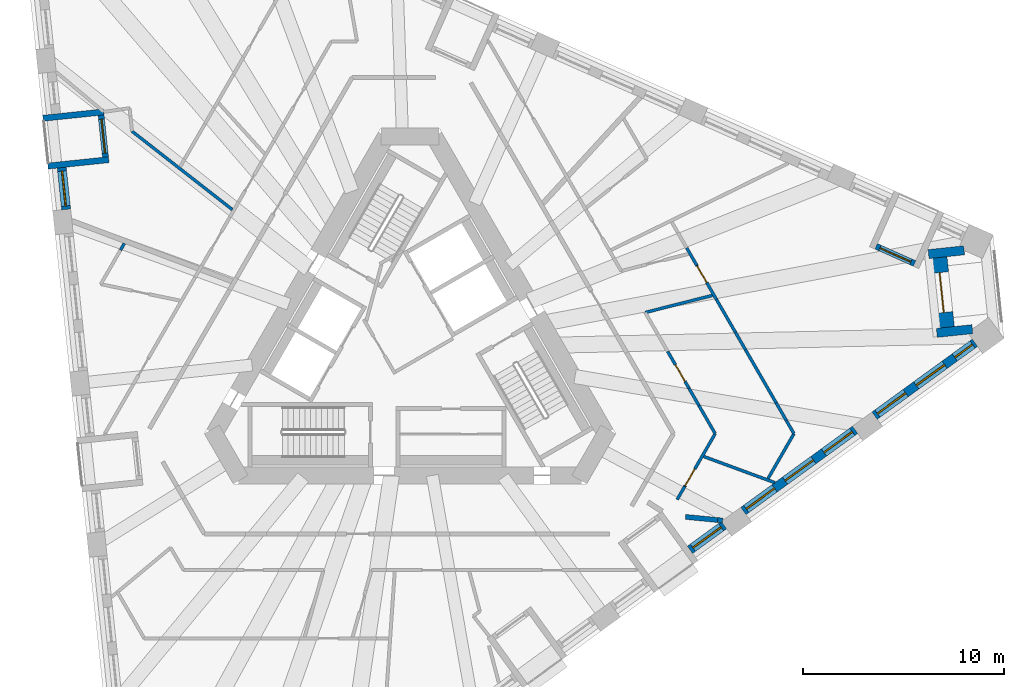
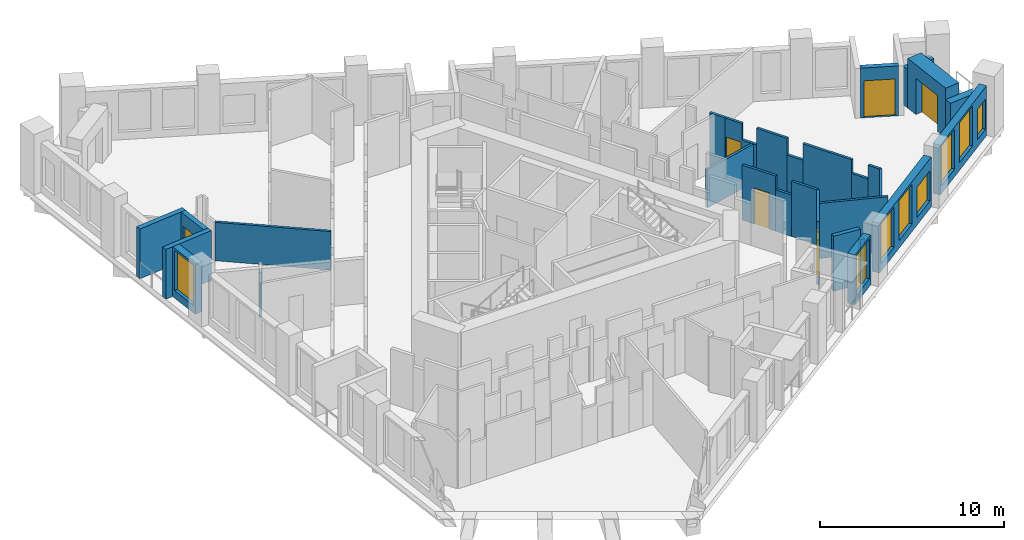
# One storey, part 6 of 14: 30 walls, 8 windows, 6 doors, 14 openings.
"""IFC4 building model written with IfcOpenShell, lengths in metres."""

from ifc_helpers import new_model, si_unit, direction, frame, frame_2d, origin, place, context, subcontext, project, spatial, polyline, rectangle, outline, extrude, material, layer, layer_set, type_object, element, fill, save


model = new_model("IFC4")

# Units and contexts
model_context = context("Model", 3, precision=1e-05, world=origin(), true_north=direction((0.0, 1.0)))
body_context = subcontext(model_context, "Body", "Model", "MODEL_VIEW")
ifc_project = project(units=[si_unit("LENGTHUNIT", "METRE"), si_unit("AREAUNIT", "SQUARE_METRE"), si_unit("VOLUMEUNIT", "CUBIC_METRE"), si_unit("PLANEANGLEUNIT", "RADIAN"), si_unit("MASSUNIT", "GRAM", prefix="KILO")], contexts=[model_context])

# Site, building, storey
site_placement = place(None, origin())
site = spatial("IfcSite", under=ifc_project, at=site_placement, CompositionType="ELEMENT")
building_placement = place(site_placement, origin())
building = spatial("IfcBuilding", under=site, at=building_placement, Name="Tramontana Tower", CompositionType="ELEMENT")
storey_placement = place(building_placement, frame((0.0, 0.0, 190.800048828125)))
storey = spatial("IfcBuildingStorey", under=building, at=storey_placement, Name="L44", CompositionType="ELEMENT", Elevation=190.800048828125)

# Wall, opening, window
ifc_material_1 = material(Name="Precast concrete 60 MPa", Category="concrete")
ifc_layer_1 = layer(ifc_material_1, 0.449951171875)
ifc_layer_set_1 = layer_set([ifc_layer_1], Name="Precast concrete 60 MPa, 450 mm")
wall_type_1 = type_object("IfcWallType", Name="EW1 Stone-faced precast wall 450", PredefinedType="SOLIDWALL", material=ifc_layer_set_1)
wall_1_placement = place(storey_placement, frame((-17.362060546875, 9.01171875, 0.0), z_axis=(0.0, 0.0, 1.0), x_axis=(0.104569484464, -0.994517583011, 0.0)))
wall_1 = element("IfcWall", 1, at=wall_1_placement, inside=storey, type_object=wall_type_1, Name="External wall L44 face 0 bay 2", PredefinedType="SOLIDWALL", context=body_context, shape_type="SweptSolid", body=[
    extrude(rectangle(XDim=2.09423828125, YDim=0.449951171875, at=frame_2d((1.047119140625, 0.0))), origin(), (0.0, 0.0, 1.0), 3.300048828125),
])
opening_1_placement = place(wall_1_placement, frame((0.172119140625, 0.0, 0.5)))
opening_1 = element("IfcOpeningElement", 2, at=opening_1_placement, cuts=wall_1, Name="Opening M2", PredefinedType="OPENING", context=body_context, shape_type="SweptSolid", body=[
    extrude(rectangle(XDim=1.75, YDim=2.64990234375, at=frame_2d((0.875, 1.324951171875))), frame((0.0, 0.23486328125, 0.0), z_axis=(0.0, -1.0, 0.0), x_axis=(1.0, 0.0, 0.0)), (0.0, 0.0, 1.0), 0.469970703125),
])
ifc_material_2 = material(Name="Aluminum frame, double glazing unit", Category="aluminium")
window_type_1 = type_object("IfcWindowType", Name="M2 Window 1.75 x 2.65", PartitioningType="SINGLE_PANEL", PredefinedType="WINDOW", material=ifc_material_2)
window_1_placement = place(opening_1_placement, origin())
window_1 = element("IfcWindow", 3, at=window_1_placement, inside=storey, type_object=window_type_1, Name="Window M2 L44 face 0 module 6", OverallHeight=2.64990234375, OverallWidth=1.75, PartitioningType="SINGLE_PANEL", PredefinedType="WINDOW", context=body_context, shape_type="SweptSolid", body=[
    extrude(rectangle(XDim=1.75, YDim=2.64990234375, at=frame_2d((0.875, 1.324951171875))), frame((0.0, 0.030029296875, 0.0), z_axis=(0.0, -1.0, 0.0), x_axis=(1.0, 0.0, 0.0)), (0.0, 0.0, 1.0), 0.06005859375),
])
fill(opening_1, window_1)

wall_2_placement = place(storey_placement, frame((13.955078125, -10.039794921875, 0.0), z_axis=(0.0, 0.0, 1.0), x_axis=(0.809028366311, 0.587769599847, 0.0)))
wall_2 = element("IfcWall", 4, at=wall_2_placement, inside=storey, type_object=wall_type_1, Name="External wall L44 face 1 bay 4", PredefinedType="SOLIDWALL", context=body_context, shape_type="SweptSolid", body=[
    extrude(rectangle(XDim=2.09423828125, YDim=0.449951171875, at=frame_2d((1.047119140625, 0.0))), origin(), (0.0, 0.0, 1.0), 3.300048828125),
])
opening_2_placement = place(wall_2_placement, frame((0.172119140625, 0.0, 0.5)))
opening_2 = element("IfcOpeningElement", 5, at=opening_2_placement, cuts=wall_2, Name="Opening M2", PredefinedType="OPENING", context=body_context, shape_type="SweptSolid", body=[
    extrude(rectangle(XDim=1.75, YDim=2.64990234375, at=frame_2d((0.875, 1.324951171875))), frame((0.0, 0.23486328125, 0.0), z_axis=(0.0, -1.0, 0.0), x_axis=(1.0, 0.0, 0.0)), (0.0, 0.0, 1.0), 0.469970703125),
])
window_2_placement = place(opening_2_placement, origin())
window_2 = element("IfcWindow", 6, at=window_2_placement, inside=storey, type_object=window_type_1, Name="Window M2 L44 face 1 module 12", OverallHeight=2.64990234375, OverallWidth=1.75, PartitioningType="SINGLE_PANEL", PredefinedType="WINDOW", context=body_context, shape_type="SweptSolid", body=[
    extrude(rectangle(XDim=1.75, YDim=2.64990234375, at=frame_2d((0.875, 1.324951171875))), frame((0.0, 0.030029296875, 0.0), z_axis=(0.0, -1.0, 0.0), x_axis=(1.0, 0.0, 0.0)), (0.0, 0.0, 1.0), 0.06005859375),
])
fill(opening_2, window_2)

# Wall, openings, windows
wall_3_placement = place(storey_placement, frame((16.6201171875, -8.103515625, 0.0), z_axis=(0.0, 0.0, 1.0), x_axis=(0.809016690404, 0.587785670672, 0.0)))
wall_3 = element("IfcWall", 7, at=wall_3_placement, inside=storey, type_object=wall_type_1, Name="External wall L44 face 1 bay 5", PredefinedType="SOLIDWALL", context=body_context, shape_type="SweptSolid", body=[
    extrude(rectangle(XDim=6.8828125, YDim=0.449951171875, at=frame_2d((3.44140625, 0.0))), origin(), (0.0, 0.0, 1.0), 3.300048828125),
])
opening_3_placement = place(wall_3_placement, frame((0.172119140625, 0.0, 0.5)))
opening_3 = element("IfcOpeningElement", 8, at=opening_3_placement, cuts=wall_3, Name="Opening M2", PredefinedType="OPENING", context=body_context, shape_type="SweptSolid", body=[
    extrude(rectangle(XDim=1.75, YDim=2.64990234375, at=frame_2d((0.875, 1.324951171875))), frame((0.0, 0.23486328125, 0.0), z_axis=(0.0, -1.0, 0.0), x_axis=(1.0, 0.0, 0.0)), (0.0, 0.0, 1.0), 0.469970703125),
])
opening_4_placement = place(wall_3_placement, frame((2.56640625, 0.0, 0.5)))
opening_4 = element("IfcOpeningElement", 9, at=opening_4_placement, cuts=wall_3, Name="Opening M2", PredefinedType="OPENING", context=body_context, shape_type="SweptSolid", body=[
    extrude(rectangle(XDim=1.75, YDim=2.64990234375, at=frame_2d((0.875, 1.324951171875))), frame((0.0, 0.23486328125, 0.0), z_axis=(0.0, -1.0, 0.0), x_axis=(1.0, 0.0, 0.0)), (0.0, 0.0, 1.0), 0.469970703125),
])
opening_5_placement = place(wall_3_placement, frame((4.960693359375, 0.0, 0.5)))
opening_5 = element("IfcOpeningElement", 10, at=opening_5_placement, cuts=wall_3, Name="Opening M2L", PredefinedType="OPENING", context=body_context, shape_type="SweptSolid", body=[
    extrude(rectangle(XDim=1.75, YDim=2.0, at=frame_2d((0.875, 1.0))), frame((0.0, 0.23486328125, 0.0), z_axis=(0.0, -1.0, 0.0), x_axis=(1.0, 0.0, 0.0)), (0.0, 0.0, 1.0), 0.469970703125),
])
window_3_placement = place(opening_3_placement, origin())
window_3 = element("IfcWindow", 11, at=window_3_placement, inside=storey, type_object=window_type_1, Name="Window M2 L44 face 1 module 13", OverallHeight=2.64990234375, OverallWidth=1.75, PartitioningType="SINGLE_PANEL", PredefinedType="WINDOW", context=body_context, shape_type="SweptSolid", body=[
    extrude(rectangle(XDim=1.75, YDim=2.64990234375, at=frame_2d((0.875, 1.324951171875))), frame((0.0, 0.030029296875, 0.0), z_axis=(0.0, -1.0, 0.0), x_axis=(1.0, 0.0, 0.0)), (0.0, 0.0, 1.0), 0.06005859375),
])
fill(opening_3, window_3)
window_4_placement = place(opening_4_placement, origin())
window_4 = element("IfcWindow", 12, at=window_4_placement, inside=storey, type_object=window_type_1, Name="Window M2 L44 face 1 module 14", OverallHeight=2.64990234375, OverallWidth=1.75, PartitioningType="SINGLE_PANEL", PredefinedType="WINDOW", context=body_context, shape_type="SweptSolid", body=[
    extrude(rectangle(XDim=1.75, YDim=2.64990234375, at=frame_2d((0.875, 1.324951171875))), frame((0.0, 0.030029296875, 0.0), z_axis=(0.0, -1.0, 0.0), x_axis=(1.0, 0.0, 0.0)), (0.0, 0.0, 1.0), 0.06005859375),
])
fill(opening_4, window_4)
ifc_material_3 = material(Name="Aluminum frame, double glazing unit", Category="aluminium")
window_type_2 = type_object("IfcWindowType", Name="M2L Window 1.75 x 2", PartitioningType="SINGLE_PANEL", PredefinedType="WINDOW", material=ifc_material_3)
window_5_placement = place(opening_5_placement, origin())
window_5 = element("IfcWindow", 13, at=window_5_placement, inside=storey, type_object=window_type_2, Name="Window M2L L44 face 1 module 15", OverallHeight=2.0, OverallWidth=1.75, PartitioningType="SINGLE_PANEL", PredefinedType="WINDOW", context=body_context, shape_type="SweptSolid", body=[
    extrude(rectangle(XDim=1.75, YDim=2.0, at=frame_2d((0.875, 1.0))), frame((0.0, 0.030029296875, 0.0), z_axis=(0.0, -1.0, 0.0), x_axis=(1.0, 0.0, 0.0)), (0.0, 0.0, 1.0), 0.06005859375),
])
fill(opening_5, window_5)

wall_4_placement = place(storey_placement, frame((23.159423828125, -3.3525390625, 0.0), z_axis=(0.0, 0.0, 1.0), x_axis=(0.809005790194, 0.587800673215, 0.0)))
wall_4 = element("IfcWall", 14, at=wall_4_placement, inside=storey, type_object=wall_type_1, Name="External wall L44 face 1 bay 6", PredefinedType="SOLIDWALL", context=body_context, shape_type="SweptSolid", body=[
    extrude(rectangle(XDim=6.182861328125, YDim=0.449951171875, at=frame_2d((3.09130859375, 0.0))), origin(), (0.0, 0.0, 1.0), 3.300048828125),
])
opening_6_placement = place(wall_4_placement, frame((0.172119140625, 0.0, 0.5)))
opening_6 = element("IfcOpeningElement", 15, at=opening_6_placement, cuts=wall_4, Name="Opening M2", PredefinedType="OPENING", context=body_context, shape_type="SweptSolid", body=[
    extrude(rectangle(XDim=1.75, YDim=2.64990234375, at=frame_2d((0.875, 1.324951171875))), frame((0.0, 0.23486328125, 0.0), z_axis=(0.0, -1.0, 0.0), x_axis=(1.0, 0.0, 0.0)), (0.0, 0.0, 1.0), 0.469970703125),
])
opening_7_placement = place(wall_4_placement, frame((2.56640625, 0.0, 0.5)))
opening_7 = element("IfcOpeningElement", 16, at=opening_7_placement, cuts=wall_4, Name="Opening M2", PredefinedType="OPENING", context=body_context, shape_type="SweptSolid", body=[
    extrude(rectangle(XDim=1.75, YDim=2.64990234375, at=frame_2d((0.875, 1.324951171875))), frame((0.0, 0.23486328125, 0.0), z_axis=(0.0, -1.0, 0.0), x_axis=(1.0, 0.0, 0.0)), (0.0, 0.0, 1.0), 0.469970703125),
])
opening_8_placement = place(wall_4_placement, frame((4.935791015625, 0.0, 0.5)))
opening_8 = element("IfcOpeningElement", 17, at=opening_8_placement, cuts=wall_4, Name="Opening N2L", PredefinedType="OPENING", context=body_context, shape_type="SweptSolid", body=[
    extrude(rectangle(XDim=1.10009765625, YDim=2.0, at=frame_2d((0.550048828125, 1.0))), frame((0.0, 0.23486328125, 0.0), z_axis=(0.0, -1.0, 0.0), x_axis=(1.0, 0.0, 0.0)), (0.0, 0.0, 1.0), 0.469970703125),
])
window_6_placement = place(opening_6_placement, origin())
window_6 = element("IfcWindow", 18, at=window_6_placement, inside=storey, type_object=window_type_1, Name="Window M2 L44 face 1 module 16", OverallHeight=2.64990234375, OverallWidth=1.75, PartitioningType="SINGLE_PANEL", PredefinedType="WINDOW", context=body_context, shape_type="SweptSolid", body=[
    extrude(rectangle(XDim=1.75, YDim=2.64990234375, at=frame_2d((0.875, 1.324951171875))), frame((0.0, 0.030029296875, 0.0), z_axis=(0.0, -1.0, 0.0), x_axis=(1.0, 0.0, 0.0)), (0.0, 0.0, 1.0), 0.06005859375),
])
fill(opening_6, window_6)
window_7_placement = place(opening_7_placement, origin())
window_7 = element("IfcWindow", 19, at=window_7_placement, inside=storey, type_object=window_type_1, Name="Window M2 L44 face 1 module 17", OverallHeight=2.64990234375, OverallWidth=1.75, PartitioningType="SINGLE_PANEL", PredefinedType="WINDOW", context=body_context, shape_type="SweptSolid", body=[
    extrude(rectangle(XDim=1.75, YDim=2.64990234375, at=frame_2d((0.875, 1.324951171875))), frame((0.0, 0.030029296875, 0.0), z_axis=(0.0, -1.0, 0.0), x_axis=(1.0, 0.0, 0.0)), (0.0, 0.0, 1.0), 0.06005859375),
])
fill(opening_7, window_7)
ifc_material_4 = material(Name="Aluminum frame, double glazing unit", Category="aluminium")
window_type_3 = type_object("IfcWindowType", Name="N2L Window 1.1 x 2", PartitioningType="SINGLE_PANEL", PredefinedType="WINDOW", material=ifc_material_4)
window_8_placement = place(opening_8_placement, origin())
window_8 = element("IfcWindow", 20, at=window_8_placement, inside=storey, type_object=window_type_3, Name="Window N2L L44 face 1 module 18", OverallHeight=2.0, OverallWidth=1.10009765625, PartitioningType="SINGLE_PANEL", PredefinedType="WINDOW", context=body_context, shape_type="SweptSolid", body=[
    extrude(rectangle(XDim=1.10009765625, YDim=2.0, at=frame_2d((0.550048828125, 1.0))), frame((0.0, 0.030029296875, 0.0), z_axis=(0.0, -1.0, 0.0), x_axis=(1.0, 0.0, 0.0)), (0.0, 0.0, 1.0), 0.06005859375),
])
fill(opening_8, window_8)

# Walls
wall_5_placement = place(storey_placement, frame((27.619384765625, 4.888916015625, 0.0), z_axis=(0.0, 0.0, 1.0), x_axis=(-0.994517477618, -0.104570486815, 0.0)))
element("IfcWall", 21, at=wall_5_placement, inside=storey, type_object=wall_type_1, Name="Corner loggia side wall L44 K42l", PredefinedType="SOLIDWALL", context=body_context, shape_type="SweptSolid", body=[
    extrude(rectangle(XDim=1.779052734375, YDim=0.449951171875, at=frame_2d((0.8896484375, 0.0))), origin(), (0.0, 0.0, 1.0), 2.550048828125),
])
wall_6_placement = place(storey_placement, frame((28.032470703125, 0.96044921875, 0.0), z_axis=(0.0, 0.0, 1.0), x_axis=(-0.994518977937, -0.104556217051, 0.0)))
element("IfcWall", 22, at=wall_6_placement, inside=storey, type_object=wall_type_1, Name="Corner loggia side wall L44 K42r", PredefinedType="SOLIDWALL", context=body_context, shape_type="SweptSolid", body=[
    extrude(rectangle(XDim=1.779296875, YDim=0.449951171875, at=frame_2d((0.8896484375, 0.0))), origin(), (0.0, 0.0, 1.0), 2.550048828125),
])

# Wall, opening, door
ifc_material_5 = material(Name="Precast concrete 60 MPa", Category="concrete")
ifc_layer_2 = layer(ifc_material_5, 0.89990234375)
ifc_layer_set_2 = layer_set([ifc_layer_2], Name="EW2 Stone-faced corner loggia wall 900")
wall_type_2 = type_object("IfcWallType", Name="EW2 Stone-faced corner loggia wall 900", PredefinedType="SOLIDWALL", material=ifc_layer_set_2)
wall_7_placement = place(storey_placement, frame((26.321044921875, 4.526123046875, 0.0), z_axis=(0.0, 0.0, 1.0), x_axis=(0.104557701916, -0.994518821828, 0.0)))
wall_7 = element("IfcWall", 23, at=wall_7_placement, inside=storey, type_object=wall_type_2, Name="Corner loggia wall L44 K42", PredefinedType="SOLIDWALL", context=body_context, shape_type="SweptSolid", body=[
    extrude(rectangle(XDim=3.500244140625, YDim=0.89990234375, at=frame_2d((1.75, 0.0))), origin(), (0.0, 0.0, 1.0), 3.300048828125),
])
opening_9_placement = place(wall_7_placement, frame((0.75, 0.0, 0.0)))
opening_9 = element("IfcOpeningElement", 24, at=opening_9_placement, cuts=wall_7, Name="Opening BD-42C", PredefinedType="OPENING", context=body_context, shape_type="SweptSolid", body=[
    extrude(rectangle(XDim=2.0, YDim=2.39990234375, at=frame_2d((1.0, 1.199951171875))), frame((0.0, 0.4599609375, 0.0), z_axis=(0.0, -1.0, 0.0), x_axis=(1.0, 0.0, 0.0)), (0.0, 0.0, 1.0), 0.919921875),
])
ifc_material_6 = material(Name="Aluminum frame, double glazing unit", Category="aluminium")
door_type_1 = type_object("IfcDoorType", Name="BC1 Sliding door 2 x 2.4", OperationType="SLIDING_TO_LEFT", PredefinedType="DOOR", material=ifc_material_6)
door_1_placement = place(opening_9_placement, origin())
door_1 = element("IfcDoor", 25, at=door_1_placement, inside=storey, type_object=door_type_1, Name="Corner loggia door L44 K42", OperationType="SLIDING_TO_LEFT", OverallHeight=2.39990234375, OverallWidth=2.0, PredefinedType="DOOR", context=body_context, shape_type="SweptSolid", body=[
    extrude(rectangle(XDim=2.0, YDim=2.39990234375, at=frame_2d((1.0, 1.199951171875))), frame((0.0, 0.02490234375, 0.0), z_axis=(0.0, -1.0, 0.0), x_axis=(1.0, 0.0, 0.0)), (0.0, 0.0, 1.0), 0.050048828125),
])
fill(opening_9, door_1)

ifc_material_7 = material(Name="Precast concrete 60 MPa", Category="concrete")
ifc_layer_3 = layer(ifc_material_7, 0.300048828125)
ifc_layer_set_3 = layer_set([ifc_layer_3], Name="LW1 Stone-faced loggia wall 300")
wall_type_3 = type_object("IfcWallType", Name="LW1 Stone-faced loggia wall 300", PredefinedType="SOLIDWALL", material=ifc_layer_set_3)
wall_8_placement = place(storey_placement, frame((-15.399658203125, 11.62548828125, 0.0), z_axis=(0.0, 0.0, 1.0), x_axis=(0.104569484464, -0.994517583011, 0.0)))
wall_8 = element("IfcWall", 26, at=wall_8_placement, inside=storey, type_object=wall_type_3, Name="Loggia wall L44 G4S0.4", PredefinedType="SOLIDWALL", context=body_context, shape_type="SweptSolid", body=[
    extrude(rectangle(XDim=2.09423828125, YDim=0.300048828125, at=frame_2d((1.047119140625, 0.0))), origin(), (0.0, 0.0, 1.0), 3.300048828125),
])
opening_10_placement = place(wall_8_placement, frame((0.197265625, 0.0, 0.0)))
opening_10 = element("IfcOpeningElement", 27, at=opening_10_placement, cuts=wall_8, Name="Opening BD-4S0-04", PredefinedType="OPENING", context=body_context, shape_type="SweptSolid", body=[
    extrude(rectangle(XDim=1.699951171875, YDim=2.449951171875, at=frame_2d((0.85009765625, 1.22509765625))), frame((0.0, 0.159912109375, 0.0), z_axis=(0.0, -1.0, 0.0), x_axis=(1.0, 0.0, 0.0)), (0.0, 0.0, 1.0), 0.320068359375),
])
ifc_material_8 = material(Name="Aluminum frame, double glazing unit", Category="aluminium")
door_type_2 = type_object("IfcDoorType", Name="BD2 Sliding door 1.7 x 2.45", OperationType="SLIDING_TO_LEFT", PredefinedType="DOOR", material=ifc_material_8)
door_2_placement = place(opening_10_placement, origin())
door_2 = element("IfcDoor", 28, at=door_2_placement, inside=storey, type_object=door_type_2, Name="Loggia door L44 G4S0.4", OperationType="SLIDING_TO_LEFT", OverallHeight=2.449951171875, OverallWidth=1.699951171875, PredefinedType="DOOR", context=body_context, shape_type="SweptSolid", body=[
    extrude(rectangle(XDim=1.699951171875, YDim=2.449951171875, at=frame_2d((0.85009765625, 1.22509765625))), frame((0.0, 0.02490234375, 0.0), z_axis=(0.0, -1.0, 0.0), x_axis=(1.0, 0.0, 0.0)), (0.0, 0.0, 1.0), 0.050048828125),
])
fill(opening_10, door_2)

# Walls
for number, where, z_axis, x_axis, name in (
    (29, (-18.29931640625, 11.471435546875, 0.0), (0.0, 0.0, 1.0), (0.994520355942, 0.104543108891, 0.0), "Loggia return L44 G4S0.4a"),
    (30, (-18.049072265625, 9.09033203125, 0.0), (0.0, 0.0, 1.0), (0.994520355942, 0.104543108891, 0.0), "Loggia return L44 G4S0.4b"),
):
    element("IfcWall", number, at=place(storey_placement, frame(where, z_axis=z_axis, x_axis=x_axis)), inside=storey, type_object=wall_type_3, Name=name, PredefinedType="SOLIDWALL", context=body_context, shape_type="SweptSolid", body=[
        extrude(rectangle(XDim=3.0498046875, YDim=0.300048828125, at=frame_2d((1.52490234375, 0.0))), origin(), (0.0, 0.0, 1.0), 3.300048828125),
    ])

# Wall, opening, door
wall_9_placement = place(storey_placement, frame((25.15185546875, 4.236083984375, 0.0), z_axis=(0.0, 0.0, 1.0), x_axis=(-0.913556597974, 0.40671162056, 0.0)))
wall_9 = element("IfcWall", 31, at=wall_9_placement, inside=storey, type_object=wall_type_3, Name="Loggia wall L44 G4S2.1", PredefinedType="SOLIDWALL", context=body_context, shape_type="SweptSolid", body=[
    extrude(rectangle(XDim=2.094482421875, YDim=0.300048828125, at=frame_2d((1.04736328125, 0.0))), origin(), (0.0, 0.0, 1.0), 3.300048828125),
])
opening_11_placement = place(wall_9_placement, frame((0.197265625, 0.0, 0.0)))
opening_11 = element("IfcOpeningElement", 32, at=opening_11_placement, cuts=wall_9, Name="Opening BD-4S2-01", PredefinedType="OPENING", context=body_context, shape_type="SweptSolid", body=[
    extrude(rectangle(XDim=1.699951171875, YDim=2.449951171875, at=frame_2d((0.85009765625, 1.22509765625))), frame((0.0, 0.159912109375, 0.0), z_axis=(0.0, -1.0, 0.0), x_axis=(1.0, 0.0, 0.0)), (0.0, 0.0, 1.0), 0.320068359375),
])
door_3_placement = place(opening_11_placement, origin())
door_3 = element("IfcDoor", 33, at=door_3_placement, inside=storey, type_object=door_type_2, Name="Loggia door L44 G4S2.1", OperationType="SLIDING_TO_LEFT", OverallHeight=2.449951171875, OverallWidth=1.699951171875, PredefinedType="DOOR", context=body_context, shape_type="SweptSolid", body=[
    extrude(rectangle(XDim=1.699951171875, YDim=2.449951171875, at=frame_2d((0.85009765625, 1.22509765625))), frame((0.0, 0.02490234375, 0.0), z_axis=(0.0, -1.0, 0.0), x_axis=(1.0, 0.0, 0.0)), (0.0, 0.0, 1.0), 0.050048828125),
])
fill(opening_11, door_3)

# Walls
ifc_material_9 = material(Name="Gypsum board partition")
ifc_layer_4 = layer(ifc_material_9, 0.14990234375)
ifc_layer_set_4 = layer_set([ifc_layer_4], Name="PARTITION 150")
wall_type_4 = type_object("IfcWallType", Name="PARTITION 150", PredefinedType="PARTITIONING", material=ifc_layer_set_4)
wall_10_placement = place(storey_placement, frame((-14.432373046875, 4.90234375, 0.0), z_axis=(0.0, 0.0, 1.0), x_axis=(0.499960447986, 0.866048237946, 0.0)))
element("IfcWall", 34, at=wall_10_placement, inside=storey, type_object=wall_type_4, Name="Wall v42-pw00-1", PredefinedType="PARTITIONING", context=body_context, shape_type="SweptSolid", body=[
    extrude(rectangle(XDim=0.384765625, YDim=0.14990234375, at=frame_2d((0.1923828125, 0.0))), origin(), (0.0, 0.0, 1.0), 2.949951171875),
])
wall_11_placement = place(storey_placement, frame((-8.852783203125, 6.916748046875, 0.0), z_axis=(0.0, 0.0, 1.0), x_axis=(-0.788021459681, 0.61564777193, 0.0)))
element("IfcWall", 35, at=wall_11_placement, inside=storey, type_object=wall_type_4, Name="Wall v42-pw12-0", PredefinedType="PARTITIONING", context=body_context, shape_type="SweptSolid", body=[
    extrude(rectangle(XDim=6.350830078125, YDim=0.14990234375, at=frame_2d((3.17529296875, 0.0))), origin(), (0.0, 0.0, 1.0), 2.550048828125),
])

# Wall, opening, door
wall_12_placement = place(storey_placement, frame((12.845703125, -0.149658203125, 0.0), z_axis=(0.0, 0.0, 1.0), x_axis=(0.500073154421, -0.86598316394, 0.0)))
wall_12 = element("IfcWall", 36, at=wall_12_placement, inside=storey, type_object=wall_type_4, Name="Wall v42-pw34-2", PredefinedType="PARTITIONING", context=body_context, shape_type="SweptSolid", body=[
    extrude(rectangle(XDim=2.109130859375, YDim=0.14990234375, at=frame_2d((1.0546875, 0.0))), origin(), (0.0, 0.0, 1.0), 3.64990234375),
])
opening_12_placement = place(wall_12_placement, frame((0.77197265625, 0.0, 0.0)))
opening_12 = element("IfcOpeningElement", 37, at=opening_12_placement, cuts=wall_12, Name="Opening B4C-12", PredefinedType="OPENING", context=body_context, shape_type="SweptSolid", body=[
    extrude(rectangle(XDim=0.949951171875, YDim=2.39990234375, at=frame_2d((0.47509765625, 1.199951171875))), frame((0.0, 0.0849609375, 0.0), z_axis=(0.0, -1.0, 0.0), x_axis=(1.0, 0.0, 0.0)), (0.0, 0.0, 1.0), 0.169921875),
])
ifc_material_10 = material(Name="Painted timber", Category="wood")
door_type_3 = type_object("IfcDoorType", Name="DOOR ROOM 950", OperationType="SINGLE_SWING_LEFT", PredefinedType="DOOR", material=ifc_material_10)
door_4_placement = place(opening_12_placement, origin())
door_4 = element("IfcDoor", 38, at=door_4_placement, inside=storey, type_object=door_type_3, Name="Door B4C-12", OperationType="SINGLE_SWING_RIGHT", OverallHeight=2.39990234375, OverallWidth=0.949951171875, PredefinedType="DOOR", context=body_context, shape_type="SweptSolid", body=[
    extrude(rectangle(XDim=0.949951171875, YDim=2.39990234375, at=frame_2d((0.47509765625, 1.199951171875))), frame((0.0, 0.02490234375, 0.0), z_axis=(0.0, -1.0, 0.0), x_axis=(1.0, 0.0, 0.0)), (0.0, 0.0, 1.0), 0.050048828125),
])
fill(opening_12, door_4)

# Walls
wall_13_placement = place(storey_placement, frame((13.900390625, -1.97607421875, 0.0), z_axis=(0.0, 0.0, 1.0), x_axis=(0.499946326053, -0.866056390234, 0.0)))
element("IfcWall", 39, at=wall_13_placement, inside=storey, type_object=wall_type_4, Name="Wall v42-pw34-3", PredefinedType="PARTITIONING", context=body_context, shape_type="SweptSolid", body=[
    extrude(rectangle(XDim=1.0068359375, YDim=0.14990234375, at=frame_2d((0.50341796875, 0.0))), origin(), (0.0, 0.0, 1.0), 2.75),
])
wall_14_placement = place(storey_placement, frame((14.40380859375, -2.84814453125, 0.0), z_axis=(0.0, 0.0, 1.0), x_axis=(0.499983569942, -0.866034889475, 0.0)))
element("IfcWall", 40, at=wall_14_placement, inside=storey, type_object=wall_type_4, Name="Wall v42-pw34-4", PredefinedType="PARTITIONING", context=body_context, shape_type="SweptSolid", body=[
    extrude(rectangle(XDim=1.61865234375, YDim=0.14990234375, at=frame_2d((0.809326171875, 0.0))), origin(), (0.0, 0.0, 1.0), 3.64990234375),
])
wall_15_placement = place(storey_placement, frame((13.792724609375, 5.010498046875, 0.0), z_axis=(0.0, 0.0, 1.0), x_axis=(0.499999078476, -0.866025935826, 0.0)))
element("IfcWall", 41, at=wall_15_placement, inside=storey, type_object=wall_type_4, Name="Wall v42-pw37-2", PredefinedType="PARTITIONING", context=body_context, shape_type="SweptSolid", body=[
    extrude(rectangle(XDim=0.9931640625, YDim=0.14990234375, at=frame_2d((0.49658203125, 0.0))), origin(), (0.0, 0.0, 1.0), 3.64990234375),
])

# Wall, opening, door
wall_16_placement = place(storey_placement, frame((14.289306640625, 4.150390625, 0.0), z_axis=(0.0, 0.0, 1.0), x_axis=(0.499926382705, -0.866067902578, 0.0)))
wall_16 = element("IfcWall", 42, at=wall_16_placement, inside=storey, type_object=wall_type_4, Name="Wall v42-pw37-3", PredefinedType="PARTITIONING", context=body_context, shape_type="SweptSolid", body=[
    extrude(outline(polyline([(0.0, 0.0), (1.968994140625, 0.0), (1.96923828125, 2.550048828125), (1.042236328125, 2.550048828125), (1.042236328125, 3.64990234375), (0.0, 3.64990234375), (0.0, 0.0)])), frame((0.0, 0.074951171875, 0.0), z_axis=(0.0, -1.0, 0.0), x_axis=(1.0, 0.0, 0.0)), (0.0, 0.0, 1.0), 0.14990234375),
])
opening_13_placement = place(wall_16_placement, frame((0.050048828125, 0.0, 0.0)))
opening_13 = element("IfcOpeningElement", 43, at=opening_13_placement, cuts=wall_16, Name="Opening B4C-14", PredefinedType="OPENING", context=body_context, shape_type="SweptSolid", body=[
    extrude(rectangle(XDim=0.949951171875, YDim=2.39990234375, at=frame_2d((0.47509765625, 1.199951171875))), frame((0.0, 0.0849609375, 0.0), z_axis=(0.0, -1.0, 0.0), x_axis=(1.0, 0.0, 0.0)), (0.0, 0.0, 1.0), 0.169921875),
])
door_5_placement = place(opening_13_placement, origin())
door_5 = element("IfcDoor", 44, at=door_5_placement, inside=storey, type_object=door_type_3, Name="Door B4C-14", OperationType="SINGLE_SWING_RIGHT", OverallHeight=2.39990234375, OverallWidth=0.949951171875, PredefinedType="DOOR", context=body_context, shape_type="SweptSolid", body=[
    extrude(rectangle(XDim=0.949951171875, YDim=2.39990234375, at=frame_2d((0.47509765625, 1.199951171875))), frame((0.0, 0.02490234375, 0.0), z_axis=(0.0, -1.0, 0.0), x_axis=(1.0, 0.0, 0.0)), (0.0, 0.0, 1.0), 0.050048828125),
])
fill(opening_13, door_5)

# Walls
wall_17_placement = place(storey_placement, frame((15.273681640625, 2.445068359375, 0.0), z_axis=(0.0, 0.0, 1.0), x_axis=(0.499971120268, -0.866042076863, 0.0)))
element("IfcWall", 45, at=wall_17_placement, inside=storey, type_object=wall_type_4, Name="Wall v42-pw37-4", PredefinedType="PARTITIONING", context=body_context, shape_type="SweptSolid", body=[
    extrude(rectangle(XDim=1.89794921875, YDim=0.14990234375, at=frame_2d((0.948974609375, 0.0))), origin(), (0.0, 0.0, 1.0), 3.64990234375),
])
wall_18_placement = place(storey_placement, frame((16.22265625, 0.80126953125, 0.0), z_axis=(0.0, 0.0, 1.0), x_axis=(0.500138987177, -0.865945144628, 0.0)))
element("IfcWall", 46, at=wall_18_placement, inside=storey, type_object=wall_type_4, Name="Wall v42-pw37-5", PredefinedType="PARTITIONING", context=body_context, shape_type="SweptSolid", body=[
    extrude(rectangle(XDim=0.997802734375, YDim=0.14990234375, at=frame_2d((0.4990234375, 0.0))), origin(), (0.0, 0.0, 1.0), 2.550048828125),
])
wall_19_placement = place(storey_placement, frame((16.7216796875, -0.062744140625, 0.0), z_axis=(0.0, 0.0, 1.0), x_axis=(0.500009621294, -0.866019848856, 0.0)))
element("IfcWall", 47, at=wall_19_placement, inside=storey, type_object=wall_type_4, Name="Wall v42-pw37-6", PredefinedType="PARTITIONING", context=body_context, shape_type="SweptSolid", body=[
    extrude(rectangle(XDim=3.06640625, YDim=0.14990234375, at=frame_2d((1.533203125, 0.0))), origin(), (0.0, 0.0, 1.0), 3.64990234375),
])
wall_20_placement = place(storey_placement, frame((18.2548828125, -2.71826171875, 0.0), z_axis=(0.0, 0.0, 1.0), x_axis=(0.499946326053, -0.866056390234, 0.0)))
element("IfcWall", 48, at=wall_20_placement, inside=storey, type_object=wall_type_4, Name="Wall v42-pw37-7", PredefinedType="PARTITIONING", context=body_context, shape_type="SweptSolid", body=[
    extrude(rectangle(XDim=1.0068359375, YDim=0.14990234375, at=frame_2d((0.50341796875, 0.0))), origin(), (0.0, 0.0, 1.0), 2.75),
])
wall_21_placement = place(storey_placement, frame((18.75830078125, -3.59033203125, 0.0), z_axis=(0.0, 0.0, 1.0), x_axis=(0.499999897272, -0.866025463095, 0.0)))
element("IfcWall", 49, at=wall_21_placement, inside=storey, type_object=wall_type_4, Name="Wall v42-pw37-8", PredefinedType="PARTITIONING", context=body_context, shape_type="SweptSolid", body=[
    extrude(rectangle(XDim=0.76171875, YDim=0.14990234375, at=frame_2d((0.380859375, 0.0))), origin(), (0.0, 0.0, 1.0), 3.64990234375),
])
wall_22_placement = place(storey_placement, frame((15.07373046875, 2.641357421875, 0.0), z_axis=(0.0, 0.0, 1.0), x_axis=(-0.969233713032, -0.246142254647, 0.0)))
element("IfcWall", 50, at=wall_22_placement, inside=storey, type_object=wall_type_4, Name="Wall v42-pw39-0", PredefinedType="PARTITIONING", context=body_context, shape_type="SweptSolid", body=[
    extrude(rectangle(XDim=3.45458984375, YDim=0.14990234375, at=frame_2d((1.727294921875, 0.0))), origin(), (0.0, 0.0, 1.0), 2.550048828125),
])

# Wall, opening, door
wall_23_placement = place(storey_placement, frame((15.213134765625, -4.25, 0.0), z_axis=(0.0, 0.0, 1.0), x_axis=(-0.500018497585, -0.866014723935, 0.0)))
wall_23 = element("IfcWall", 51, at=wall_23_placement, inside=storey, type_object=wall_type_4, Name="Wall v42-pw40-0", PredefinedType="PARTITIONING", context=body_context, shape_type="SweptSolid", body=[
    extrude(rectangle(XDim=3.0458984375, YDim=0.14990234375, at=frame_2d((1.52294921875, 0.0))), origin(), (0.0, 0.0, 1.0), 3.64990234375),
])
opening_14_placement = place(wall_23_placement, frame((2.0400390625, 0.0, 0.0)))
opening_14 = element("IfcOpeningElement", 52, at=opening_14_placement, cuts=wall_23, Name="Opening B4C-15", PredefinedType="OPENING", context=body_context, shape_type="SweptSolid", body=[
    extrude(rectangle(XDim=0.949951171875, YDim=2.39990234375, at=frame_2d((0.47509765625, 1.199951171875))), frame((0.0, 0.0849609375, 0.0), z_axis=(0.0, -1.0, 0.0), x_axis=(1.0, 0.0, 0.0)), (0.0, 0.0, 1.0), 0.169921875),
])
door_6_placement = place(opening_14_placement, origin())
door_6 = element("IfcDoor", 53, at=door_6_placement, inside=storey, type_object=door_type_3, Name="Door B4C-15", OperationType="SINGLE_SWING_LEFT", OverallHeight=2.39990234375, OverallWidth=0.949951171875, PredefinedType="DOOR", context=body_context, shape_type="SweptSolid", body=[
    extrude(rectangle(XDim=0.949951171875, YDim=2.39990234375, at=frame_2d((0.47509765625, 1.199951171875))), frame((0.0, 0.02490234375, 0.0), z_axis=(0.0, -1.0, 0.0), x_axis=(1.0, 0.0, 0.0)), (0.0, 0.0, 1.0), 0.050048828125),
])
fill(opening_14, door_6)

# Walls
wall_24_placement = place(storey_placement, frame((13.690185546875, -6.8876953125, 0.0), z_axis=(0.0, 0.0, 1.0), x_axis=(-0.499987686533, -0.866032512851, 0.0)))
element("IfcWall", 54, at=wall_24_placement, inside=storey, type_object=wall_type_4, Name="Wall v42-pw40-1", PredefinedType="PARTITIONING", context=body_context, shape_type="SweptSolid", body=[
    extrude(rectangle(XDim=0.74365234375, YDim=0.14990234375, at=frame_2d((0.371826171875, 0.0))), origin(), (0.0, 0.0, 1.0), 2.949951171875),
])
wall_25_placement = place(storey_placement, frame((18.182373046875, -6.6904296875, 0.0), z_axis=(0.0, 0.0, 1.0), x_axis=(-0.938476772348, 0.345342363117, 0.0)))
element("IfcWall", 55, at=wall_25_placement, inside=storey, type_object=wall_type_4, Name="Wall v42-pw41", PredefinedType="PARTITIONING", context=body_context, shape_type="SweptSolid", body=[
    extrude(rectangle(XDim=3.771484375, YDim=0.14990234375, at=frame_2d((1.8857421875, 0.0))), origin(), (0.0, 0.0, 1.0), 3.64990234375),
])
wall_26_placement = place(storey_placement, frame((19.13916015625, -4.25, 0.0), z_axis=(0.0, 0.0, 1.0), x_axis=(-0.500011491418, -0.866018769109, 0.0)))
element("IfcWall", 56, at=wall_26_placement, inside=storey, type_object=wall_type_4, Name="Wall v42-pw42", PredefinedType="PARTITIONING", context=body_context, shape_type="SweptSolid", body=[
    extrude(rectangle(XDim=2.58349609375, YDim=0.14990234375, at=frame_2d((1.291748046875, 0.0))), origin(), (0.0, 0.0, 1.0), 3.64990234375),
])
ifc_material_11 = material(Name="Blockwork", Category="masonry")
ifc_layer_5 = layer(ifc_material_11, 0.25)
ifc_layer_set_5 = layer_set([ifc_layer_5], Name="PARTY WALL 250")
wall_type_5 = type_object("IfcWallType", Name="PARTY WALL 250", PredefinedType="SOLIDWALL", material=ifc_layer_set_5)
wall_27_placement = place(storey_placement, frame((13.734619140625, -8.399169921875, 0.0), z_axis=(0.0, 0.0, 1.0), x_axis=(0.995357991419, -0.096241721299, 0.0)))
element("IfcWall", 57, at=wall_27_placement, inside=storey, type_object=wall_type_5, Name="Wall v42-pw38-0", PredefinedType="SOLIDWALL", context=body_context, shape_type="SweptSolid", body=[
    extrude(rectangle(XDim=1.6083984375, YDim=0.25, at=frame_2d((0.80419921875, 0.0))), origin(), (0.0, 0.0, 1.0), 3.64990234375),
])
wall_28_placement = place(storey_placement, frame((15.33544921875, -8.553955078125, 0.0), z_axis=(0.0, 0.0, 1.0), x_axis=(0.995304545718, -0.096792878218, 0.0)))
element("IfcWall", 58, at=wall_28_placement, inside=storey, type_object=wall_type_5, Name="Wall v42-pw38-1", PredefinedType="SOLIDWALL", context=body_context, shape_type="SweptSolid", body=[
    extrude(rectangle(XDim=0.249755859375, YDim=0.25, at=frame_2d((0.125, 0.0))), origin(), (0.0, 0.0, 1.0), 2.949951171875),
])

save(model, "model.ifc")
